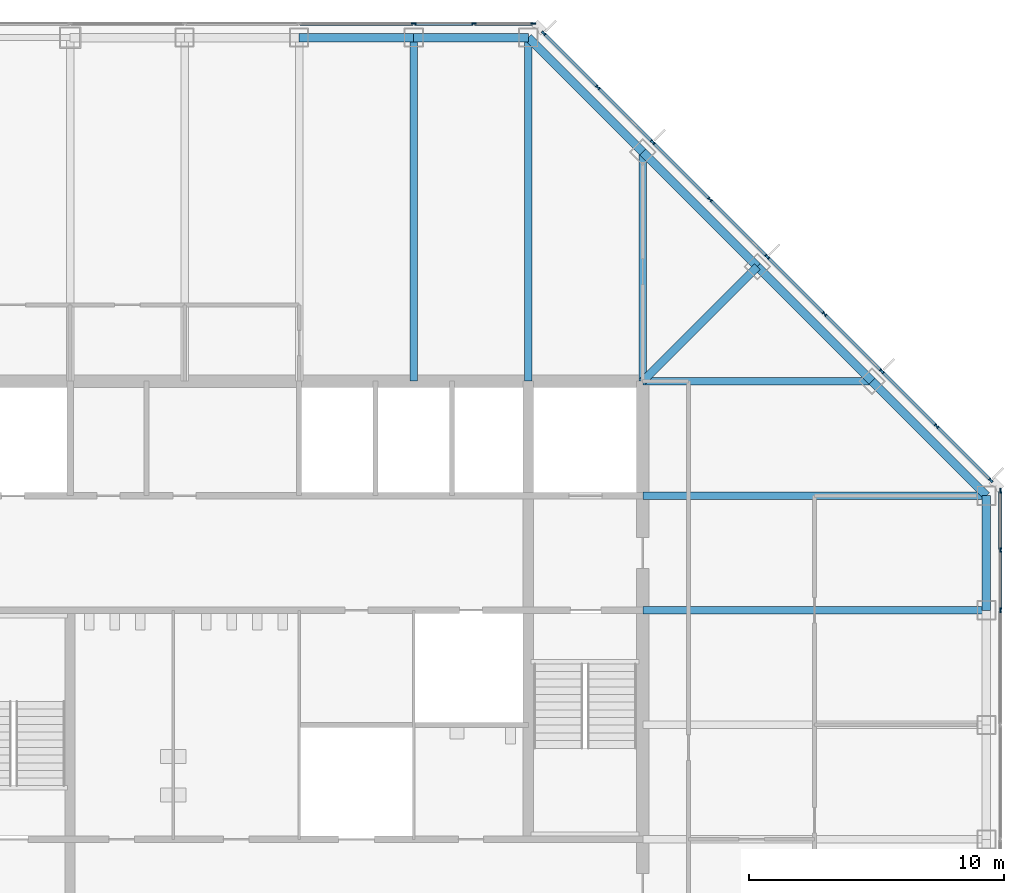
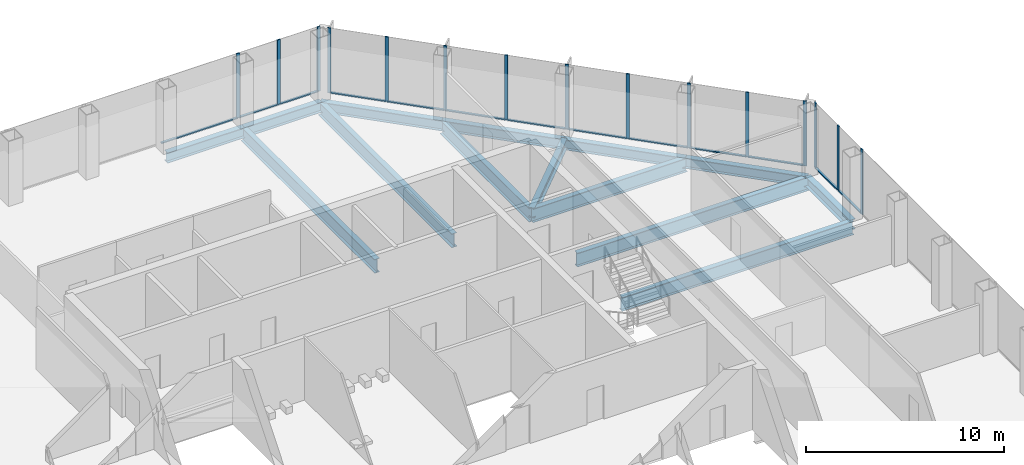
# One storey, part 6 of 13: 28 members, 14 beams, 3 elements without a shape of their own.
"""IFC4 building model written with IfcOpenShell, lengths in metres."""

from ifc_helpers import new_model, si_unit, direction, frame, origin, origin_2d, place, context, subcontext, project, spatial, rectangle, i_section, extrude, material, material_profile, profile_set, type_object, element, aggregate, save


model = new_model("IFC4")

# Units and contexts
model_context = context("Model", 3, precision=1e-05, world=origin(), true_north=direction((0.0, 1.0)))
body_context = subcontext(model_context, "Body", "Model", "MODEL_VIEW")
ifc_project = project(units=[si_unit("LENGTHUNIT", "METRE"), si_unit("AREAUNIT", "SQUARE_METRE"), si_unit("VOLUMEUNIT", "CUBIC_METRE"), si_unit("PLANEANGLEUNIT", "RADIAN"), si_unit("MASSUNIT", "GRAM", prefix="KILO")], contexts=[model_context])

# Site, building, storey
site_placement = place(None, origin())
site = spatial("IfcSite", under=ifc_project, at=site_placement, CompositionType="ELEMENT")
building_placement = place(site_placement, origin())
building = spatial("IfcBuilding", under=site, at=building_placement, Name="Corais Broadcast Tower", CompositionType="ELEMENT")
storey_placement = place(building_placement, frame((0.0, 0.0, 151.60009765625)))
storey = spatial("IfcBuildingStorey", under=building, at=storey_placement, Name="L34", CompositionType="ELEMENT", Elevation=151.60009765625)

# Beams
ifc_material_1 = material(Name="Steel ASTM A572 Grade 50", Category="steel")
ifc_material_profile_1 = material_profile(ifc_material_1, i_section(OverallWidth=0.323974609375, OverallDepth=0.611083984375, WebThickness=0.0126953125, FlangeThickness=0.01904296875, at=origin_2d()), Name="W610x155")
ifc_profile_set_1 = profile_set([ifc_material_profile_1], Name="Steel ASTM A572 Grade 50")
beam_type_1 = type_object("IfcBeamType", Name="Corner diagonal W610x155", PredefinedType="BEAM", material=ifc_profile_set_1)
beam_1_placement = place(storey_placement, frame((45.0, 45.0, -0.465576171875), z_axis=(-0.707106781187, -0.707106781187, 0.0), x_axis=(0.707106781187, -0.707106781187, 0.0)))
element("IfcBeam", 1, at=beam_1_placement, inside=storey, type_object=beam_type_1, Name="B6 L/13 to K/12", PredefinedType="BEAM", context=body_context, shape_type="SweptSolid", body=[
    extrude(i_section(OverallWidth=0.323974609375, OverallDepth=0.611083984375, WebThickness=0.0126953125, FlangeThickness=0.01904296875, at=origin_2d()), origin(), (0.0, 0.0, 1.0), 6.364013671875),
])
ifc_material_2 = material(Name="Steel ASTM A572 Grade 50", Category="steel")
ifc_material_profile_2 = material_profile(ifc_material_2, i_section(OverallWidth=0.2939453125, OverallDepth=0.85107421875, WebThickness=0.01611328125, FlangeThickness=0.02685546875, at=origin_2d()), Name="W840x226")
ifc_profile_set_2 = profile_set([ifc_material_profile_2], Name="Steel ASTM A572 Grade 50")
beam_type_2 = type_object("IfcBeamType", Name="Floor beam W840x226", PredefinedType="BEAM", material=ifc_profile_set_2)
for number, where, z_axis, x_axis, name in (
    (2, (31.5, 54.0, -0.585693359375), (0.0, -1.0, 0.0), (1.0, 0.0, 0.0), "B1 N/10 to K/10"),
    (3, (36.0, 54.0, -0.585693359375), (0.0, -1.0, 0.0), (1.0, 0.0, 0.0), "B1 N/11 to K/11"),
):
    element("IfcBeam", number, at=place(storey_placement, frame(where, z_axis=z_axis, x_axis=x_axis)), inside=storey, type_object=beam_type_2, Name=name, PredefinedType="BEAM", context=body_context, shape_type="SweptSolid", body=[
        extrude(i_section(OverallWidth=0.2939453125, OverallDepth=0.85107421875, WebThickness=0.01611328125, FlangeThickness=0.02685546875, at=origin_2d()), origin(), (0.0, 0.0, 1.0), 13.5),
    ])
for number, where, z_axis, x_axis, name in (
    (4, (40.5, 49.5, -0.585693359375), (0.0, -1.0, 0.0), (1.0, 0.0, 0.0), "B1 M/12 to K/12"),
    (5, (49.5, 40.5, -0.585693359375), (-1.0, 0.0, 0.0), (0.0, -1.0, 0.0), "B1 K/14 to K/12"),
):
    element("IfcBeam", number, at=place(storey_placement, frame(where, z_axis=z_axis, x_axis=x_axis)), inside=storey, type_object=beam_type_2, Name=name, PredefinedType="BEAM", context=body_context, shape_type="SweptSolid", body=[
        extrude(i_section(OverallWidth=0.2939453125, OverallDepth=0.85107421875, WebThickness=0.01611328125, FlangeThickness=0.02685546875, at=origin_2d()), origin(), (0.0, 0.0, 1.0), 9.0),
    ])
for number, where, z_axis, x_axis, name in (
    (6, (54.0, 31.5, -0.585693359375), (-1.0, 0.0, 0.0), (0.0, -1.0, 0.0), "B1 H/15 to H/12"),
    (7, (54.0, 36.0, -0.585693359375), (-1.0, 0.0, 0.0), (0.0, -1.0, 0.0), "B1 J/15 to J/12"),
):
    element("IfcBeam", number, at=place(storey_placement, frame(where, z_axis=z_axis, x_axis=x_axis)), inside=storey, type_object=beam_type_2, Name=name, PredefinedType="BEAM", context=body_context, shape_type="SweptSolid", body=[
        extrude(i_section(OverallWidth=0.2939453125, OverallDepth=0.85107421875, WebThickness=0.01611328125, FlangeThickness=0.02685546875, at=origin_2d()), origin(), (0.0, 0.0, 1.0), 13.5),
    ])

# Curtain wall, members
ifc_material_3 = material(Name="Aluminium and glass", Category="aluminium")
curtain_wall_type = type_object("IfcCurtainWallType", Name="Unitised fritted curtain wall CW2", PredefinedType="NOTDEFINED", material=ifc_material_3)
curtain_wall_1_placement = place(storey_placement, origin())
curtain_wall_1 = element("IfcCurtainWall", 8, at=curtain_wall_1_placement, inside=storey, type_object=curtain_wall_type, Name="CW2 curtain wall L34 4", PredefinedType="NOTDEFINED")
ifc_material_4 = material(Name="Aluminium 6063-T6", Category="aluminium")
ifc_material_profile_3 = material_profile(ifc_material_4, rectangle(XDim=0.06494140625, YDim=0.179931640625, at=origin_2d()), Name="Mullion CW2 65x180")
ifc_profile_set_3 = profile_set([ifc_material_profile_3], Name="Aluminium 6063-T6")
member_type_1 = type_object("IfcMemberType", Name="Mullion CW2 65x180", PredefinedType="MULLION", material=ifc_profile_set_3)
member_1_placement = place(storey_placement, frame((31.5, 54.550048828125, 0.0), z_axis=(0.0, 0.0, 1.0), x_axis=(0.0, 1.0, 0.0)))
member_1 = element("IfcMember", 9, at=member_1_placement, type_object=member_type_1, Name="CW2 mullion 7", PredefinedType="MULLION", context=body_context, shape_type="SweptSolid", body=[
    extrude(rectangle(XDim=0.06494140625, YDim=0.179931640625, at=origin_2d()), origin(), (0.0, 0.0, 1.0), 4.0),
])
member_2_placement = place(storey_placement, frame((33.864013671875, 54.550048828125, 0.0), z_axis=(0.0, 0.0, 1.0), x_axis=(0.0, 1.0, 0.0)))
member_2 = element("IfcMember", 10, at=member_2_placement, type_object=member_type_1, Name="CW2 mullion 8", PredefinedType="MULLION", context=body_context, shape_type="SweptSolid", body=[
    extrude(rectangle(XDim=0.06494140625, YDim=0.179931640625, at=origin_2d()), origin(), (0.0, 0.0, 1.0), 4.0),
])
member_3_placement = place(storey_placement, frame((36.1953125, 54.550048828125, 0.0), z_axis=(0.0, 0.0, 1.0), x_axis=(0.0, 1.0, 0.0)))
member_3 = element("IfcMember", 11, at=member_3_placement, type_object=member_type_1, Name="CW2 mullion 9", PredefinedType="MULLION", context=body_context, shape_type="SweptSolid", body=[
    extrude(rectangle(XDim=0.06494140625, YDim=0.179931640625, at=origin_2d()), origin(), (0.0, 0.0, 1.0), 4.0),
])

curtain_wall_2_placement = place(storey_placement, origin())
curtain_wall_2 = element("IfcCurtainWall", 12, at=curtain_wall_2_placement, inside=storey, type_object=curtain_wall_type, Name="CW2 curtain wall L34 5", PredefinedType="NOTDEFINED")
member_4_placement = place(storey_placement, frame((36.6044921875, 54.17333984375, 0.0), z_axis=(0.0, 0.0, 1.0), x_axis=(0.707106781187, 0.707106781187, 0.0)))
member_4 = element("IfcMember", 13, at=member_4_placement, type_object=member_type_1, Name="CW2 mullion 1", PredefinedType="MULLION", context=body_context, shape_type="SweptSolid", body=[
    extrude(rectangle(XDim=0.06494140625, YDim=0.179931640625, at=origin_2d()), origin(), (0.0, 0.0, 1.0), 4.0),
])
member_5_placement = place(storey_placement, frame((38.735107421875, 52.042724609375, 0.0), z_axis=(0.0, 0.0, 1.0), x_axis=(0.707106781187, 0.707106781187, 0.0)))
member_5 = element("IfcMember", 14, at=member_5_placement, type_object=member_type_1, Name="CW2 mullion 2", PredefinedType="MULLION", context=body_context, shape_type="SweptSolid", body=[
    extrude(rectangle(XDim=0.06494140625, YDim=0.179931640625, at=origin_2d()), origin(), (0.0, 0.0, 1.0), 4.0),
])
member_6_placement = place(storey_placement, frame((40.888916015625, 49.888916015625, 0.0), z_axis=(0.0, 0.0, 1.0), x_axis=(0.707106781187, 0.707106781187, 0.0)))
member_6 = element("IfcMember", 15, at=member_6_placement, type_object=member_type_1, Name="CW2 mullion 3", PredefinedType="MULLION", context=body_context, shape_type="SweptSolid", body=[
    extrude(rectangle(XDim=0.06494140625, YDim=0.179931640625, at=origin_2d()), origin(), (0.0, 0.0, 1.0), 4.0),
])
member_7_placement = place(storey_placement, frame((43.138916015625, 47.638916015625, 0.0), z_axis=(0.0, 0.0, 1.0), x_axis=(0.707106781187, 0.707106781187, 0.0)))
member_7 = element("IfcMember", 16, at=member_7_placement, type_object=member_type_1, Name="CW2 mullion 4", PredefinedType="MULLION", context=body_context, shape_type="SweptSolid", body=[
    extrude(rectangle(XDim=0.06494140625, YDim=0.179931640625, at=origin_2d()), origin(), (0.0, 0.0, 1.0), 4.0),
])
member_8_placement = place(storey_placement, frame((45.388916015625, 45.388916015625, 0.0), z_axis=(0.0, 0.0, 1.0), x_axis=(0.707106781187, 0.707106781187, 0.0)))
member_8 = element("IfcMember", 17, at=member_8_placement, type_object=member_type_1, Name="CW2 mullion 5", PredefinedType="MULLION", context=body_context, shape_type="SweptSolid", body=[
    extrude(rectangle(XDim=0.06494140625, YDim=0.179931640625, at=origin_2d()), origin(), (0.0, 0.0, 1.0), 4.0),
])
member_9_placement = place(storey_placement, frame((47.638916015625, 43.138916015625, 0.0), z_axis=(0.0, 0.0, 1.0), x_axis=(0.707106781187, 0.707106781187, 0.0)))
member_9 = element("IfcMember", 18, at=member_9_placement, type_object=member_type_1, Name="CW2 mullion 6", PredefinedType="MULLION", context=body_context, shape_type="SweptSolid", body=[
    extrude(rectangle(XDim=0.06494140625, YDim=0.179931640625, at=origin_2d()), origin(), (0.0, 0.0, 1.0), 4.0),
])
member_10_placement = place(storey_placement, frame((49.888916015625, 40.888916015625, 0.0), z_axis=(0.0, 0.0, 1.0), x_axis=(0.707106781187, 0.707106781187, 0.0)))
member_10 = element("IfcMember", 19, at=member_10_placement, type_object=member_type_1, Name="CW2 mullion 7", PredefinedType="MULLION", context=body_context, shape_type="SweptSolid", body=[
    extrude(rectangle(XDim=0.06494140625, YDim=0.179931640625, at=origin_2d()), origin(), (0.0, 0.0, 1.0), 4.0),
])
member_11_placement = place(storey_placement, frame((52.042724609375, 38.735107421875, 0.0), z_axis=(0.0, 0.0, 1.0), x_axis=(0.707106781187, 0.707106781187, 0.0)))
member_11 = element("IfcMember", 20, at=member_11_placement, type_object=member_type_1, Name="CW2 mullion 8", PredefinedType="MULLION", context=body_context, shape_type="SweptSolid", body=[
    extrude(rectangle(XDim=0.06494140625, YDim=0.179931640625, at=origin_2d()), origin(), (0.0, 0.0, 1.0), 4.0),
])
member_12_placement = place(storey_placement, frame((54.17333984375, 36.6044921875, 0.0), z_axis=(0.0, 0.0, 1.0), x_axis=(0.707106781187, 0.707106781187, 0.0)))
member_12 = element("IfcMember", 21, at=member_12_placement, type_object=member_type_1, Name="CW2 mullion 9", PredefinedType="MULLION", context=body_context, shape_type="SweptSolid", body=[
    extrude(rectangle(XDim=0.06494140625, YDim=0.179931640625, at=origin_2d()), origin(), (0.0, 0.0, 1.0), 4.0),
])

curtain_wall_3_placement = place(storey_placement, origin())
curtain_wall_3 = element("IfcCurtainWall", 22, at=curtain_wall_3_placement, inside=storey, type_object=curtain_wall_type, Name="CW2 curtain wall L34 6", PredefinedType="NOTDEFINED")
member_13_placement = place(storey_placement, frame((54.550048828125, 36.1953125, 0.0), z_axis=(0.0, 0.0, 1.0), x_axis=(1.0, 0.0, 0.0)))
member_13 = element("IfcMember", 23, at=member_13_placement, type_object=member_type_1, Name="CW2 mullion 1", PredefinedType="MULLION", context=body_context, shape_type="SweptSolid", body=[
    extrude(rectangle(XDim=0.06494140625, YDim=0.179931640625, at=origin_2d()), origin(), (0.0, 0.0, 1.0), 4.0),
])
member_14_placement = place(storey_placement, frame((54.550048828125, 33.864013671875, 0.0), z_axis=(0.0, 0.0, 1.0), x_axis=(1.0, 0.0, 0.0)))
member_14 = element("IfcMember", 24, at=member_14_placement, type_object=member_type_1, Name="CW2 mullion 2", PredefinedType="MULLION", context=body_context, shape_type="SweptSolid", body=[
    extrude(rectangle(XDim=0.06494140625, YDim=0.179931640625, at=origin_2d()), origin(), (0.0, 0.0, 1.0), 4.0),
])
member_15_placement = place(storey_placement, frame((54.550048828125, 31.5, 0.0), z_axis=(0.0, 0.0, 1.0), x_axis=(1.0, 0.0, 0.0)))
member_15 = element("IfcMember", 25, at=member_15_placement, type_object=member_type_1, Name="CW2 mullion 3", PredefinedType="MULLION", context=body_context, shape_type="SweptSolid", body=[
    extrude(rectangle(XDim=0.06494140625, YDim=0.179931640625, at=origin_2d()), origin(), (0.0, 0.0, 1.0), 4.0),
])

# Beams
ifc_material_5 = material(Name="Steel ASTM A572 Grade 50", Category="steel")
ifc_material_profile_4 = material_profile(ifc_material_5, i_section(OverallWidth=0.3291015625, OverallDepth=0.635009765625, WebThickness=0.017822265625, FlangeThickness=0.031005859375, at=origin_2d()), Name="W610x241")
ifc_profile_set_4 = profile_set([ifc_material_profile_4], Name="Steel ASTM A572 Grade 50")
beam_type_3 = type_object("IfcBeamType", Name="Spandrel W610x241", PredefinedType="BEAM", material=ifc_profile_set_4)
for number, where, z_axis, x_axis, name in (
    (26, (31.5, 54.0, -0.4775390625), (-1.0, 0.0, 0.0), (0.0, -1.0, 0.0), "SB1 N/10 to N/9"),
    (27, (36.0, 54.0, -0.4775390625), (-1.0, 0.0, 0.0), (0.0, -1.0, 0.0), "SB1 N/11 to N/10"),
):
    element("IfcBeam", number, at=place(storey_placement, frame(where, z_axis=z_axis, x_axis=x_axis)), inside=storey, type_object=beam_type_3, Name=name, PredefinedType="BEAM", context=body_context, shape_type="SweptSolid", body=[
        extrude(i_section(OverallWidth=0.3291015625, OverallDepth=0.635009765625, WebThickness=0.017822265625, FlangeThickness=0.031005859375, at=origin_2d()), origin(), (0.0, 0.0, 1.0), 4.5),
    ])
for number, where, z_axis, x_axis, name in (
    (28, (40.5, 49.5, -0.4775390625), (-0.707106781187, 0.707106781187, 0.0), (-0.707106781187, -0.707106781187, 0.0), "SB1 M/12 to N/11"),
    (29, (45.0, 45.0, -0.4775390625), (-0.707106781187, 0.707106781187, 0.0), (-0.707106781187, -0.707106781187, 0.0), "SB1 L/13 to M/12"),
    (30, (49.5, 40.5, -0.4775390625), (-0.707106781187, 0.707106781187, 0.0), (-0.707106781187, -0.707106781187, 0.0), "SB1 K/14 to L/13"),
):
    element("IfcBeam", number, at=place(storey_placement, frame(where, z_axis=z_axis, x_axis=x_axis)), inside=storey, type_object=beam_type_3, Name=name, PredefinedType="BEAM", context=body_context, shape_type="SweptSolid", body=[
        extrude(i_section(OverallWidth=0.3291015625, OverallDepth=0.635009765625, WebThickness=0.017822265625, FlangeThickness=0.031005859375, at=origin_2d()), origin(), (0.0, 0.0, 1.0), 6.364013671875),
    ])
beam_2_placement = place(storey_placement, frame((54.0, 31.5, -0.4775390625), z_axis=(0.0, 1.0, 0.0), x_axis=(-1.0, 0.0, 0.0)))
element("IfcBeam", 31, at=beam_2_placement, inside=storey, type_object=beam_type_3, Name="SB1 H/15 to J/15", PredefinedType="BEAM", context=body_context, shape_type="SweptSolid", body=[
    extrude(i_section(OverallWidth=0.3291015625, OverallDepth=0.635009765625, WebThickness=0.017822265625, FlangeThickness=0.031005859375, at=origin_2d()), origin(), (0.0, 0.0, 1.0), 4.5),
])
beam_3_placement = place(storey_placement, frame((54.0, 36.0, -0.4775390625), z_axis=(-0.707106781187, 0.707106781187, 0.0), x_axis=(-0.707106781187, -0.707106781187, 0.0)))
element("IfcBeam", 32, at=beam_3_placement, inside=storey, type_object=beam_type_3, Name="SB1 J/15 to K/14", PredefinedType="BEAM", context=body_context, shape_type="SweptSolid", body=[
    extrude(i_section(OverallWidth=0.3291015625, OverallDepth=0.635009765625, WebThickness=0.017822265625, FlangeThickness=0.031005859375, at=origin_2d()), origin(), (0.0, 0.0, 1.0), 6.364013671875),
])

# Member
ifc_material_6 = material(Name="Aluminium 6063-T6", Category="aluminium")
ifc_material_profile_5 = material_profile(ifc_material_6, rectangle(XDim=0.1298828125, YDim=0.06494140625, at=origin_2d()), Name="Transom CW2 65x130")
ifc_profile_set_5 = profile_set([ifc_material_profile_5], Name="Aluminium 6063-T6")
member_type_2 = type_object("IfcMemberType", Name="Transom CW2 65x130", PredefinedType="USERDEFINED", material=ifc_profile_set_5)
member_16_placement = place(storey_placement, frame((27.032470703125, 54.550048828125, 0.032470703125), z_axis=(1.0, 0.0, 0.0), x_axis=(0.0, 1.0, 0.0)))
member_16 = element("IfcMember", 33, at=member_16_placement, type_object=member_type_2, Name="CW2 transom 6.1", ObjectType="TRANSOM", PredefinedType="USERDEFINED", context=body_context, shape_type="SweptSolid", body=[
    extrude(rectangle(XDim=0.1298828125, YDim=0.06494140625, at=origin_2d()), origin(), (0.0, 0.0, 1.0), 4.43505859375),
])

member_17_placement = place(storey_placement, frame((31.532470703125, 54.550048828125, 0.032470703125), z_axis=(1.0, 0.0, 0.0), x_axis=(0.0, 1.0, 0.0)))
member_17 = element("IfcMember", 34, at=member_17_placement, type_object=member_type_2, Name="CW2 transom 7.1", ObjectType="TRANSOM", PredefinedType="USERDEFINED", context=body_context, shape_type="SweptSolid", body=[
    extrude(rectangle(XDim=0.1298828125, YDim=0.06494140625, at=origin_2d()), origin(), (0.0, 0.0, 1.0), 2.298828125),
])

member_18_placement = place(storey_placement, frame((33.896484375, 54.550048828125, 0.032470703125), z_axis=(1.0, 0.0, 0.0), x_axis=(0.0, 1.0, 0.0)))
member_18 = element("IfcMember", 35, at=member_18_placement, type_object=member_type_2, Name="CW2 transom 8.1", ObjectType="TRANSOM", PredefinedType="USERDEFINED", context=body_context, shape_type="SweptSolid", body=[
    extrude(rectangle(XDim=0.1298828125, YDim=0.06494140625, at=origin_2d()), origin(), (0.0, 0.0, 1.0), 2.266357421875),
])

aggregate(curtain_wall_1, [member_1, member_2, member_3, member_16, member_17, member_18])

member_19_placement = place(storey_placement, frame((36.62744140625, 54.150390625, 0.032470703125), z_axis=(0.707106781187, -0.707106781187, 0.0), x_axis=(0.707106781187, 0.707106781187, 0.0)))
member_19 = element("IfcMember", 36, at=member_19_placement, type_object=member_type_2, Name="CW2 transom 1.1", ObjectType="TRANSOM", PredefinedType="USERDEFINED", context=body_context, shape_type="SweptSolid", body=[
    extrude(rectangle(XDim=0.1298828125, YDim=0.06494140625, at=origin_2d()), origin(), (0.0, 0.0, 1.0), 2.9482421875),
])

member_20_placement = place(storey_placement, frame((38.758056640625, 52.019775390625, 0.032470703125), z_axis=(0.707106781187, -0.707106781187, 0.0), x_axis=(0.707106781187, 0.707106781187, 0.0)))
member_20 = element("IfcMember", 37, at=member_20_placement, type_object=member_type_2, Name="CW2 transom 2.1", ObjectType="TRANSOM", PredefinedType="USERDEFINED", context=body_context, shape_type="SweptSolid", body=[
    extrude(rectangle(XDim=0.1298828125, YDim=0.06494140625, at=origin_2d()), origin(), (0.0, 0.0, 1.0), 2.98095703125),
])

member_21_placement = place(storey_placement, frame((40.911865234375, 49.865966796875, 0.032470703125), z_axis=(0.707106781187, -0.707106781187, 0.0), x_axis=(0.707106781187, 0.707106781187, 0.0)))
member_21 = element("IfcMember", 38, at=member_21_placement, type_object=member_type_2, Name="CW2 transom 3.1", ObjectType="TRANSOM", PredefinedType="USERDEFINED", context=body_context, shape_type="SweptSolid", body=[
    extrude(rectangle(XDim=0.1298828125, YDim=0.06494140625, at=origin_2d()), origin(), (0.0, 0.0, 1.0), 3.1171875),
])

member_22_placement = place(storey_placement, frame((43.161865234375, 47.615966796875, 0.032470703125), z_axis=(0.707106781187, -0.707106781187, 0.0), x_axis=(0.707106781187, 0.707106781187, 0.0)))
member_22 = element("IfcMember", 39, at=member_22_placement, type_object=member_type_2, Name="CW2 transom 4.1", ObjectType="TRANSOM", PredefinedType="USERDEFINED", context=body_context, shape_type="SweptSolid", body=[
    extrude(rectangle(XDim=0.1298828125, YDim=0.06494140625, at=origin_2d()), origin(), (0.0, 0.0, 1.0), 3.1171875),
])

member_23_placement = place(storey_placement, frame((45.411865234375, 45.365966796875, 0.032470703125), z_axis=(0.707106781187, -0.707106781187, 0.0), x_axis=(0.707106781187, 0.707106781187, 0.0)))
member_23 = element("IfcMember", 40, at=member_23_placement, type_object=member_type_2, Name="CW2 transom 5.1", ObjectType="TRANSOM", PredefinedType="USERDEFINED", context=body_context, shape_type="SweptSolid", body=[
    extrude(rectangle(XDim=0.1298828125, YDim=0.06494140625, at=origin_2d()), origin(), (0.0, 0.0, 1.0), 3.1171875),
])

member_24_placement = place(storey_placement, frame((47.661865234375, 43.115966796875, 0.032470703125), z_axis=(0.707106781187, -0.707106781187, 0.0), x_axis=(0.707106781187, 0.707106781187, 0.0)))
member_24 = element("IfcMember", 41, at=member_24_placement, type_object=member_type_2, Name="CW2 transom 6.1", ObjectType="TRANSOM", PredefinedType="USERDEFINED", context=body_context, shape_type="SweptSolid", body=[
    extrude(rectangle(XDim=0.1298828125, YDim=0.06494140625, at=origin_2d()), origin(), (0.0, 0.0, 1.0), 3.1171875),
])

member_25_placement = place(storey_placement, frame((49.911865234375, 40.865966796875, 0.032470703125), z_axis=(0.707065828661, -0.70714773134, 0.0), x_axis=(0.70714773134, 0.707065828661, 0.0)))
member_25 = element("IfcMember", 42, at=member_25_placement, type_object=member_type_2, Name="CW2 transom 7.1", ObjectType="TRANSOM", PredefinedType="USERDEFINED", context=body_context, shape_type="SweptSolid", body=[
    extrude(rectangle(XDim=0.1298828125, YDim=0.06494140625, at=origin_2d()), origin(), (0.0, 0.0, 1.0), 2.98095703125),
])

member_26_placement = place(storey_placement, frame((52.065673828125, 38.712158203125, 0.032470703125), z_axis=(0.707106781187, -0.707106781187, 0.0), x_axis=(0.707106781187, 0.707106781187, 0.0)))
member_26 = element("IfcMember", 43, at=member_26_placement, type_object=member_type_2, Name="CW2 transom 8.1", ObjectType="TRANSOM", PredefinedType="USERDEFINED", context=body_context, shape_type="SweptSolid", body=[
    extrude(rectangle(XDim=0.1298828125, YDim=0.06494140625, at=origin_2d()), origin(), (0.0, 0.0, 1.0), 2.9482421875),
])

aggregate(curtain_wall_2, [member_4, member_5, member_6, member_7, member_8, member_9, member_10, member_11, member_12, member_19, member_20, member_21, member_22, member_23, member_24, member_25, member_26])

member_27_placement = place(storey_placement, frame((54.550048828125, 36.162841796875, 0.032470703125), z_axis=(0.0, -1.0, 0.0), x_axis=(1.0, 0.0, 0.0)))
member_27 = element("IfcMember", 44, at=member_27_placement, type_object=member_type_2, Name="CW2 transom 1.1", ObjectType="TRANSOM", PredefinedType="USERDEFINED", context=body_context, shape_type="SweptSolid", body=[
    extrude(rectangle(XDim=0.1298828125, YDim=0.06494140625, at=origin_2d()), origin(), (0.0, 0.0, 1.0), 2.266357421875),
])

member_28_placement = place(storey_placement, frame((54.550048828125, 33.831298828125, 0.032470703125), z_axis=(0.0, -1.0, 0.0), x_axis=(1.0, 0.0, 0.0)))
member_28 = element("IfcMember", 45, at=member_28_placement, type_object=member_type_2, Name="CW2 transom 2.1", ObjectType="TRANSOM", PredefinedType="USERDEFINED", context=body_context, shape_type="SweptSolid", body=[
    extrude(rectangle(XDim=0.1298828125, YDim=0.06494140625, at=origin_2d()), origin(), (0.0, 0.0, 1.0), 2.298828125),
])

aggregate(curtain_wall_3, [member_13, member_14, member_15, member_27, member_28])

save(model, "model.ifc")
